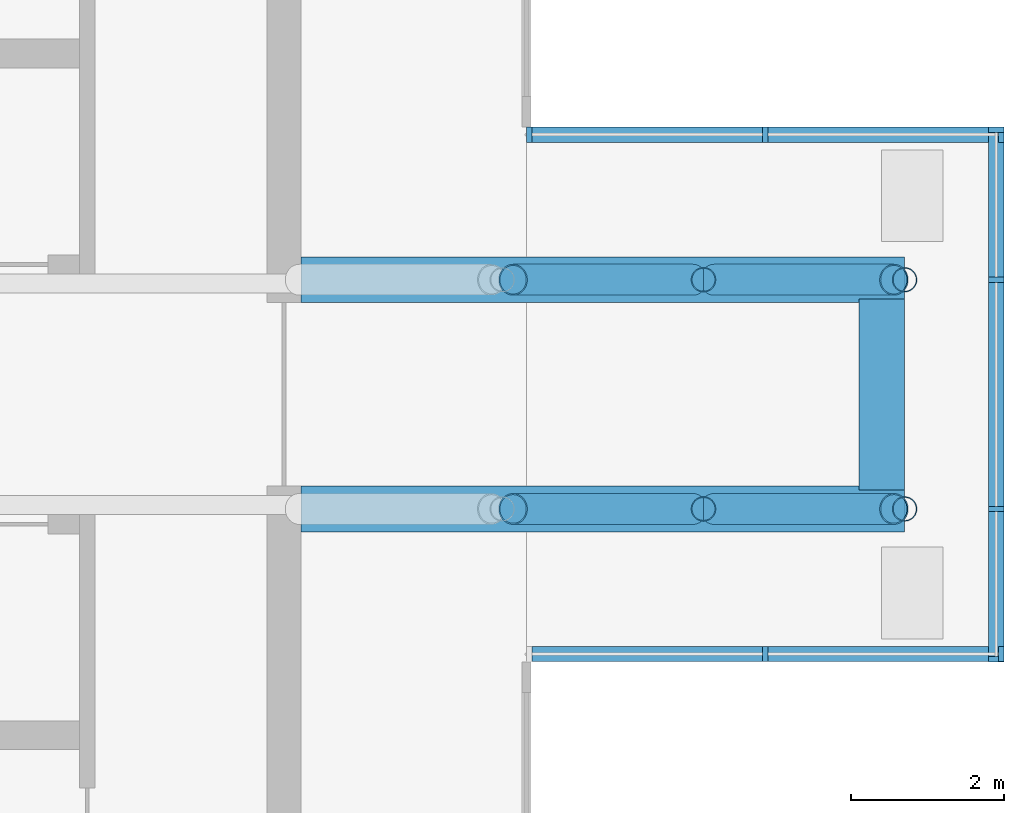
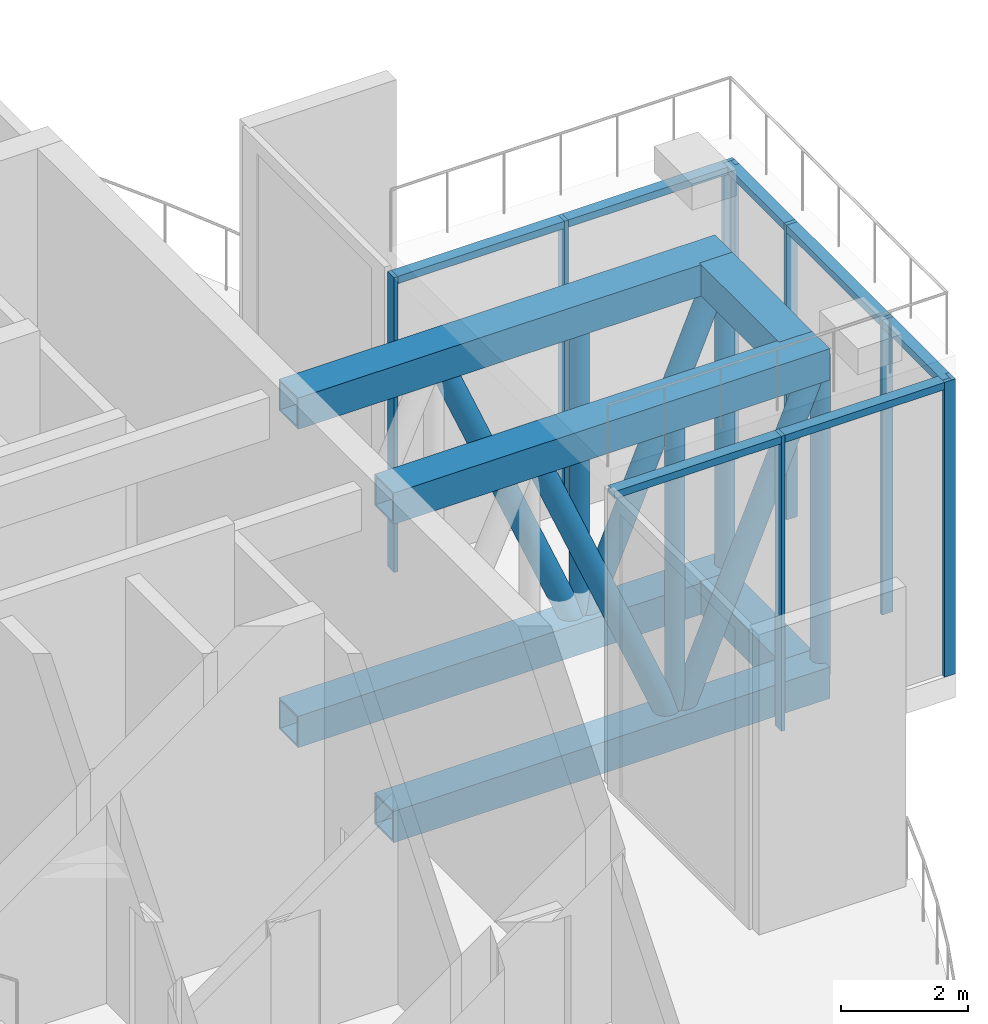
# One storey, part 8 of 24: 24 members, 6 beams, 3 elements without a shape of their own.
"""IFC4 building model written with IfcOpenShell, lengths in metres."""

from ifc_helpers import new_model, si_unit, direction, frame, origin, origin_2d, place, context, subcontext, project, spatial, rectangle, hollow_rectangle, hollow_circle, extrude, material, layer, layer_set, material_profile, profile_set, type_object, element, aggregate, save


model = new_model("IFC4")

# Units and contexts
model_context = context("Model", 3, precision=1e-05, world=origin(), true_north=direction((0.0, 1.0)))
body_context = subcontext(model_context, "Body", "Model", "MODEL_VIEW")
ifc_project = project(units=[si_unit("LENGTHUNIT", "METRE"), si_unit("AREAUNIT", "SQUARE_METRE"), si_unit("VOLUMEUNIT", "CUBIC_METRE"), si_unit("PLANEANGLEUNIT", "RADIAN"), si_unit("MASSUNIT", "GRAM", prefix="KILO")], contexts=[model_context])

# Site, building, storey
site_placement = place(None, origin())
site = spatial("IfcSite", under=ifc_project, at=site_placement, CompositionType="ELEMENT")
building_placement = place(site_placement, origin())
building = spatial("IfcBuilding", under=site, at=building_placement, Name="Maasbend Ring Residences", CompositionType="ELEMENT")
storey_placement = place(building_placement, frame((0.0, 0.0, 221.85009765625)))
storey = spatial("IfcBuildingStorey", under=building, at=storey_placement, Name="L64", CompositionType="ELEMENT", Elevation=221.85009765625)

# Curtain wall, members
ifc_material_1 = material(Name="Aluminium and clear glass", Category="aluminium")
ifc_layer = layer(ifc_material_1, 0.199951171875)
ifc_layer_set = layer_set([ifc_layer], Name="CW-GR")
curtain_wall_type = type_object("IfcCurtainWallType", Name="CW-GR", PredefinedType="NOTDEFINED", material=ifc_layer_set)
curtain_wall_1_placement = place(storey_placement, origin())
curtain_wall_1 = element("IfcCurtainWall", 1, at=curtain_wall_1_placement, inside=storey, type_object=curtain_wall_type, Name="Glass lounge curtain wall tip", PredefinedType="NOTDEFINED")
ifc_material_2 = material(Name="Aluminium 6063-T6", Category="aluminium")
ifc_material_profile_1 = material_profile(ifc_material_2, rectangle(XDim=0.199951171875, YDim=0.070068359375, at=origin_2d()), Name="AL 200x70")
ifc_profile_set_1 = profile_set([ifc_material_profile_1], Name="Aluminium 6063-T6")
member_type_1 = type_object("IfcMemberType", Name="CWM-GR", PredefinedType="MULLION", material=ifc_profile_set_1)
member_1_placement = place(storey_placement, frame((31.14990234375, -3.465087890625, 0.0), z_axis=(0.0, 0.0, 1.0), x_axis=(-1.0, 0.0, 0.0)))
member_1 = element("IfcMember", 2, at=member_1_placement, type_object=member_type_1, Name="Mullion glass room", PredefinedType="MULLION", context=body_context, shape_type="SweptSolid", body=[
    extrude(rectangle(XDim=0.199951171875, YDim=0.070068359375, at=origin_2d()), origin(), (0.0, 0.0, 1.0), 5.64990234375),
])
member_2_placement = place(storey_placement, frame((31.14990234375, -1.5, 0.0), z_axis=(0.0, 0.0, 1.0), x_axis=(-1.0, 0.0, 0.0)))
member_2 = element("IfcMember", 3, at=member_2_placement, type_object=member_type_1, Name="Mullion glass room", PredefinedType="MULLION", context=body_context, shape_type="SweptSolid", body=[
    extrude(rectangle(XDim=0.199951171875, YDim=0.070068359375, at=origin_2d()), origin(), (0.0, 0.0, 1.0), 5.64990234375),
])
member_3_placement = place(storey_placement, frame((31.14990234375, 1.5, 0.0), z_axis=(0.0, 0.0, 1.0), x_axis=(-1.0, 0.0, 0.0)))
member_3 = element("IfcMember", 4, at=member_3_placement, type_object=member_type_1, Name="Mullion glass room", PredefinedType="MULLION", context=body_context, shape_type="SweptSolid", body=[
    extrude(rectangle(XDim=0.199951171875, YDim=0.070068359375, at=origin_2d()), origin(), (0.0, 0.0, 1.0), 5.64990234375),
])
member_4_placement = place(storey_placement, frame((31.14990234375, 3.465087890625, 0.0), z_axis=(0.0, 0.0, 1.0), x_axis=(-1.0, 0.0, 0.0)))
member_4 = element("IfcMember", 5, at=member_4_placement, type_object=member_type_1, Name="Mullion glass room", PredefinedType="MULLION", context=body_context, shape_type="SweptSolid", body=[
    extrude(rectangle(XDim=0.199951171875, YDim=0.070068359375, at=origin_2d()), origin(), (0.0, 0.0, 1.0), 5.64990234375),
])

curtain_wall_2_placement = place(storey_placement, origin())
curtain_wall_2 = element("IfcCurtainWall", 6, at=curtain_wall_2_placement, inside=storey, type_object=curtain_wall_type, Name="Glass lounge curtain wall south", PredefinedType="NOTDEFINED")
member_5_placement = place(storey_placement, frame((28.125, -3.39990234375, 0.0), z_axis=(0.0, 0.0, 1.0), x_axis=(0.0, 1.0, 0.0)))
member_5 = element("IfcMember", 7, at=member_5_placement, type_object=member_type_1, Name="Mullion glass room", PredefinedType="MULLION", context=body_context, shape_type="SweptSolid", body=[
    extrude(rectangle(XDim=0.199951171875, YDim=0.070068359375, at=origin_2d()), origin(), (0.0, 0.0, 1.0), 5.64990234375),
])
member_6_placement = place(storey_placement, frame((31.215087890625, -3.39990234375, 0.0), z_axis=(0.0, 0.0, 1.0), x_axis=(0.0, 1.0, 0.0)))
member_6 = element("IfcMember", 8, at=member_6_placement, type_object=member_type_1, Name="Mullion glass room", PredefinedType="MULLION", context=body_context, shape_type="SweptSolid", body=[
    extrude(rectangle(XDim=0.199951171875, YDim=0.070068359375, at=origin_2d()), origin(), (0.0, 0.0, 1.0), 5.64990234375),
])

curtain_wall_3_placement = place(storey_placement, origin())
curtain_wall_3 = element("IfcCurtainWall", 9, at=curtain_wall_3_placement, inside=storey, type_object=curtain_wall_type, Name="Glass lounge curtain wall north", PredefinedType="NOTDEFINED")
member_7_placement = place(storey_placement, frame((25.034912109375, 3.39990234375, 0.0), z_axis=(0.0, 0.0, 1.0), x_axis=(0.0, 1.0, 0.0)))
member_7 = element("IfcMember", 10, at=member_7_placement, type_object=member_type_1, Name="Mullion glass room", PredefinedType="MULLION", context=body_context, shape_type="SweptSolid", body=[
    extrude(rectangle(XDim=0.199951171875, YDim=0.070068359375, at=origin_2d()), origin(), (0.0, 0.0, 1.0), 5.64990234375),
])
member_8_placement = place(storey_placement, frame((28.125, 3.39990234375, 0.0), z_axis=(0.0, 0.0, 1.0), x_axis=(0.0, 1.0, 0.0)))
member_8 = element("IfcMember", 11, at=member_8_placement, type_object=member_type_1, Name="Mullion glass room", PredefinedType="MULLION", context=body_context, shape_type="SweptSolid", body=[
    extrude(rectangle(XDim=0.199951171875, YDim=0.070068359375, at=origin_2d()), origin(), (0.0, 0.0, 1.0), 5.64990234375),
])
member_9_placement = place(storey_placement, frame((31.215087890625, 3.39990234375, 0.0), z_axis=(0.0, 0.0, 1.0), x_axis=(0.0, 1.0, 0.0)))
member_9 = element("IfcMember", 12, at=member_9_placement, type_object=member_type_1, Name="Mullion glass room", PredefinedType="MULLION", context=body_context, shape_type="SweptSolid", body=[
    extrude(rectangle(XDim=0.199951171875, YDim=0.070068359375, at=origin_2d()), origin(), (0.0, 0.0, 1.0), 5.64990234375),
])

# Member
ifc_material_3 = material(Name="Aluminium 6063-T6", Category="aluminium")
ifc_material_profile_2 = material_profile(ifc_material_3, rectangle(XDim=0.199951171875, YDim=0.139892578125, at=origin_2d()), Name="AL 200x140")
ifc_profile_set_2 = profile_set([ifc_material_profile_2], Name="Aluminium 6063-T6")
member_type_2 = type_object("IfcMemberType", Name="CWT-GR", PredefinedType="USERDEFINED", material=ifc_profile_set_2)
member_10_placement = place(storey_placement, frame((31.14990234375, -3.429931640625, 5.579833984375), z_axis=(0.0, 1.0, 0.0), x_axis=(-1.0, 0.0, 0.0)))
member_10 = element("IfcMember", 13, at=member_10_placement, type_object=member_type_2, Name="Transom glass room", ObjectType="TRANSOM", PredefinedType="USERDEFINED", context=body_context, shape_type="SweptSolid", body=[
    extrude(rectangle(XDim=0.199951171875, YDim=0.139892578125, at=origin_2d()), origin(), (0.0, 0.0, 1.0), 1.89501953125),
])

member_11_placement = place(storey_placement, frame((31.14990234375, -1.465087890625, 5.579833984375), z_axis=(0.0, 1.0, 0.0), x_axis=(-1.0, 0.0, 0.0)))
member_11 = element("IfcMember", 14, at=member_11_placement, type_object=member_type_2, Name="Transom glass room", ObjectType="TRANSOM", PredefinedType="USERDEFINED", context=body_context, shape_type="SweptSolid", body=[
    extrude(rectangle(XDim=0.199951171875, YDim=0.139892578125, at=origin_2d()), origin(), (0.0, 0.0, 1.0), 2.93017578125),
])

member_12_placement = place(storey_placement, frame((31.14990234375, 1.534912109375, 5.579833984375), z_axis=(0.0, 1.0, 0.0), x_axis=(-1.0, 0.0, 0.0)))
member_12 = element("IfcMember", 15, at=member_12_placement, type_object=member_type_2, Name="Transom glass room", ObjectType="TRANSOM", PredefinedType="USERDEFINED", context=body_context, shape_type="SweptSolid", body=[
    extrude(rectangle(XDim=0.199951171875, YDim=0.139892578125, at=origin_2d()), origin(), (0.0, 0.0, 1.0), 1.89501953125),
])

aggregate(curtain_wall_1, [member_1, member_2, member_3, member_4, member_10, member_11, member_12])

member_13_placement = place(storey_placement, frame((25.070068359375, -3.39990234375, 5.579833984375), z_axis=(1.0, 0.0, 0.0), x_axis=(0.0, 1.0, 0.0)))
member_13 = element("IfcMember", 16, at=member_13_placement, type_object=member_type_2, Name="Transom glass room", ObjectType="TRANSOM", PredefinedType="USERDEFINED", context=body_context, shape_type="SweptSolid", body=[
    extrude(rectangle(XDim=0.199951171875, YDim=0.139892578125, at=origin_2d()), origin(), (0.0, 0.0, 1.0), 3.02001953125),
])

member_14_placement = place(storey_placement, frame((28.159912109375, -3.39990234375, 5.579833984375), z_axis=(1.0, 0.0, 0.0), x_axis=(0.0, 1.0, 0.0)))
member_14 = element("IfcMember", 17, at=member_14_placement, type_object=member_type_2, Name="Transom glass room", ObjectType="TRANSOM", PredefinedType="USERDEFINED", context=body_context, shape_type="SweptSolid", body=[
    extrude(rectangle(XDim=0.199951171875, YDim=0.139892578125, at=origin_2d()), origin(), (0.0, 0.0, 1.0), 3.02001953125),
])

aggregate(curtain_wall_2, [member_5, member_6, member_13, member_14])

member_15_placement = place(storey_placement, frame((25.070068359375, 3.39990234375, 5.579833984375), z_axis=(1.0, 0.0, 0.0), x_axis=(0.0, 1.0, 0.0)))
member_15 = element("IfcMember", 18, at=member_15_placement, type_object=member_type_2, Name="Transom glass room", ObjectType="TRANSOM", PredefinedType="USERDEFINED", context=body_context, shape_type="SweptSolid", body=[
    extrude(rectangle(XDim=0.199951171875, YDim=0.139892578125, at=origin_2d()), origin(), (0.0, 0.0, 1.0), 3.02001953125),
])

member_16_placement = place(storey_placement, frame((28.159912109375, 3.39990234375, 5.579833984375), z_axis=(1.0, 0.0, 0.0), x_axis=(0.0, 1.0, 0.0)))
member_16 = element("IfcMember", 19, at=member_16_placement, type_object=member_type_2, Name="Transom glass room", ObjectType="TRANSOM", PredefinedType="USERDEFINED", context=body_context, shape_type="SweptSolid", body=[
    extrude(rectangle(XDim=0.199951171875, YDim=0.139892578125, at=origin_2d()), origin(), (0.0, 0.0, 1.0), 3.02001953125),
])

aggregate(curtain_wall_3, [member_7, member_8, member_9, member_15, member_16])

# Beams
ifc_material_4 = material(Name="Steel S460M", Category="steel")
ifc_material_profile_3 = material_profile(ifc_material_4, hollow_rectangle(XDim=0.60009765625, YDim=0.60009765625, WallThickness=0.035888671875, at=origin_2d()), Name="Glass room truss chord BX 600x600x36")
ifc_profile_set_3 = profile_set([ifc_material_profile_3], Name="Steel S460M")
beam_type = type_object("IfcBeamType", Name="Glass room truss chord BX 600x600x36", PredefinedType="BEAM", material=ifc_profile_set_3)
for number, where, z_axis, x_axis, name in (
    (20, (22.050048828125, -1.5, -0.75), (1.0, 0.0, 0.0), (0.0, 1.0, 0.0), "Glass room truss E"),
    (21, (22.050048828125, -1.5, 5.349853515625), (1.0, 0.0, 0.0), (0.0, 1.0, 0.0), "Glass room truss E"),
):
    element("IfcBeam", number, at=place(storey_placement, frame(where, z_axis=z_axis, x_axis=x_axis)), inside=storey, type_object=beam_type, Name=name, PredefinedType="BEAM", context=body_context, shape_type="SweptSolid", body=[
        extrude(hollow_rectangle(XDim=0.60009765625, YDim=0.60009765625, WallThickness=0.035888671875, at=origin_2d()), origin(), (0.0, 0.0, 1.0), 7.89990234375),
    ])
for number, where, z_axis, x_axis, name in (
    (22, (29.64990234375, -1.25, 5.349853515625), (0.0, 1.0, 0.0), (-1.0, 0.0, 0.0), "Glass room tip beam E"),
    (23, (29.64990234375, -1.25, -0.75), (0.0, 1.0, 0.0), (-1.0, 0.0, 0.0), "Glass room lower tip beam E"),
):
    element("IfcBeam", number, at=place(storey_placement, frame(where, z_axis=z_axis, x_axis=x_axis)), inside=storey, type_object=beam_type, Name=name, PredefinedType="BEAM", context=body_context, shape_type="SweptSolid", body=[
        extrude(hollow_rectangle(XDim=0.60009765625, YDim=0.60009765625, WallThickness=0.035888671875, at=origin_2d()), origin(), (0.0, 0.0, 1.0), 2.5),
    ])
for number, where, z_axis, x_axis, name in (
    (24, (22.050048828125, 1.5, -0.75), (1.0, 0.0, 0.0), (0.0, 1.0, 0.0), "Glass room truss E"),
    (25, (22.050048828125, 1.5, 5.349853515625), (1.0, 0.0, 0.0), (0.0, 1.0, 0.0), "Glass room truss E"),
):
    element("IfcBeam", number, at=place(storey_placement, frame(where, z_axis=z_axis, x_axis=x_axis)), inside=storey, type_object=beam_type, Name=name, PredefinedType="BEAM", context=body_context, shape_type="SweptSolid", body=[
        extrude(hollow_rectangle(XDim=0.60009765625, YDim=0.60009765625, WallThickness=0.035888671875, at=origin_2d()), origin(), (0.0, 0.0, 1.0), 7.89990234375),
    ])

# Members
ifc_material_5 = material(Name="Steel S460NH", Category="steel")
ifc_material_profile_4 = material_profile(ifc_material_5, hollow_circle(Radius=0.203125, WallThickness=0.01611328125, at=origin_2d()), Name="Glass room truss diagonal CHS 406.4x16")
ifc_profile_set_4 = profile_set([ifc_material_profile_4], Name="Steel S460NH")
member_type_3 = type_object("IfcMemberType", Name="Glass room truss diagonal CHS 406.4x16", PredefinedType="BRACE", material=ifc_profile_set_4)
for number, where, z_axis, x_axis, name in (
    (26, (24.82421875, -1.5, 5.099853515625), (0.387179862374, 0.0, -0.922004205073), (0.0, 1.0, 0.0), "Glass room truss E diagonal"),
    (27, (27.45751953125, -1.5, -0.5), (0.387179862374, 0.0, 0.922004205073), (0.0, 1.0, 0.0), "Glass room truss E diagonal"),
    (28, (24.82421875, 1.5, 5.099853515625), (0.387179862374, 0.0, -0.922004205073), (0.0, 1.0, 0.0), "Glass room truss E diagonal"),
    (29, (27.45751953125, 1.5, -0.5), (0.387179862374, 0.0, 0.922004205073), (0.0, 1.0, 0.0), "Glass room truss E diagonal"),
):
    element("IfcMember", number, at=place(storey_placement, frame(where, z_axis=z_axis, x_axis=x_axis)), inside=storey, type_object=member_type_3, Name=name, PredefinedType="BRACE", context=body_context, shape_type="SweptSolid", body=[
        extrude(hollow_circle(Radius=0.203125, WallThickness=0.01611328125, at=origin_2d()), origin(), (0.0, 0.0, 1.0), 6.073486328125),
    ])
ifc_material_6 = material(Name="Steel S460NH", Category="steel")
ifc_material_profile_5 = material_profile(ifc_material_6, hollow_circle(Radius=0.161865234375, WallThickness=0.012451171875, at=origin_2d()), Name="Glass room truss post CHS 323.9x12.5")
ifc_profile_set_5 = profile_set([ifc_material_profile_5], Name="Steel S460NH")
member_type_4 = type_object("IfcMemberType", Name="Glass room truss post CHS 323.9x12.5", PredefinedType="POST", material=ifc_profile_set_5)
member_17_placement = place(storey_placement, frame((27.316650390625, -1.5, -0.4501953125), z_axis=(0.0, 0.0, 1.0), x_axis=(1.0, 0.0, 0.0)))
element("IfcMember", 30, at=member_17_placement, inside=storey, type_object=member_type_4, Name="Glass room truss E post", PredefinedType="POST", context=body_context, shape_type="SweptSolid", body=[
    extrude(hollow_circle(Radius=0.161865234375, WallThickness=0.012451171875, at=origin_2d()), origin(), (0.0, 0.0, 1.0), 5.5),
])
member_18_placement = place(storey_placement, frame((29.949951171875, -1.5, -0.75), z_axis=(0.0, 0.0, 1.0), x_axis=(1.0, 0.0, 0.0)))
element("IfcMember", 31, at=member_18_placement, inside=storey, type_object=member_type_4, Name="Glass room truss E post", PredefinedType="POST", context=body_context, shape_type="SweptSolid", body=[
    extrude(hollow_circle(Radius=0.161865234375, WallThickness=0.012451171875, at=origin_2d()), origin(), (0.0, 0.0, 1.0), 6.099853515625),
])
member_19_placement = place(storey_placement, frame((27.316650390625, 1.5, -0.4501953125), z_axis=(0.0, 0.0, 1.0), x_axis=(1.0, 0.0, 0.0)))
element("IfcMember", 32, at=member_19_placement, inside=storey, type_object=member_type_4, Name="Glass room truss E post", PredefinedType="POST", context=body_context, shape_type="SweptSolid", body=[
    extrude(hollow_circle(Radius=0.161865234375, WallThickness=0.012451171875, at=origin_2d()), origin(), (0.0, 0.0, 1.0), 5.5),
])
member_20_placement = place(storey_placement, frame((29.949951171875, 1.5, -0.75), z_axis=(0.0, 0.0, 1.0), x_axis=(1.0, 0.0, 0.0)))
element("IfcMember", 33, at=member_20_placement, inside=storey, type_object=member_type_4, Name="Glass room truss E post", PredefinedType="POST", context=body_context, shape_type="SweptSolid", body=[
    extrude(hollow_circle(Radius=0.161865234375, WallThickness=0.012451171875, at=origin_2d()), origin(), (0.0, 0.0, 1.0), 6.099853515625),
])

save(model, "model.ifc")
